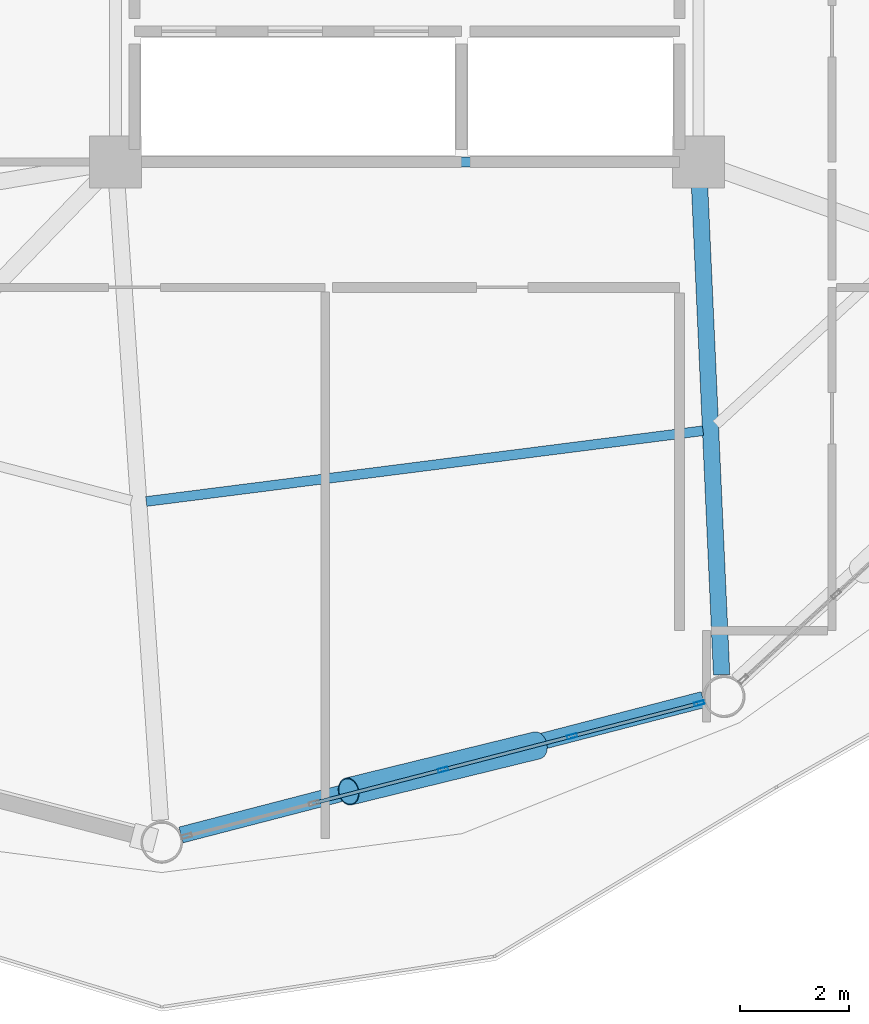
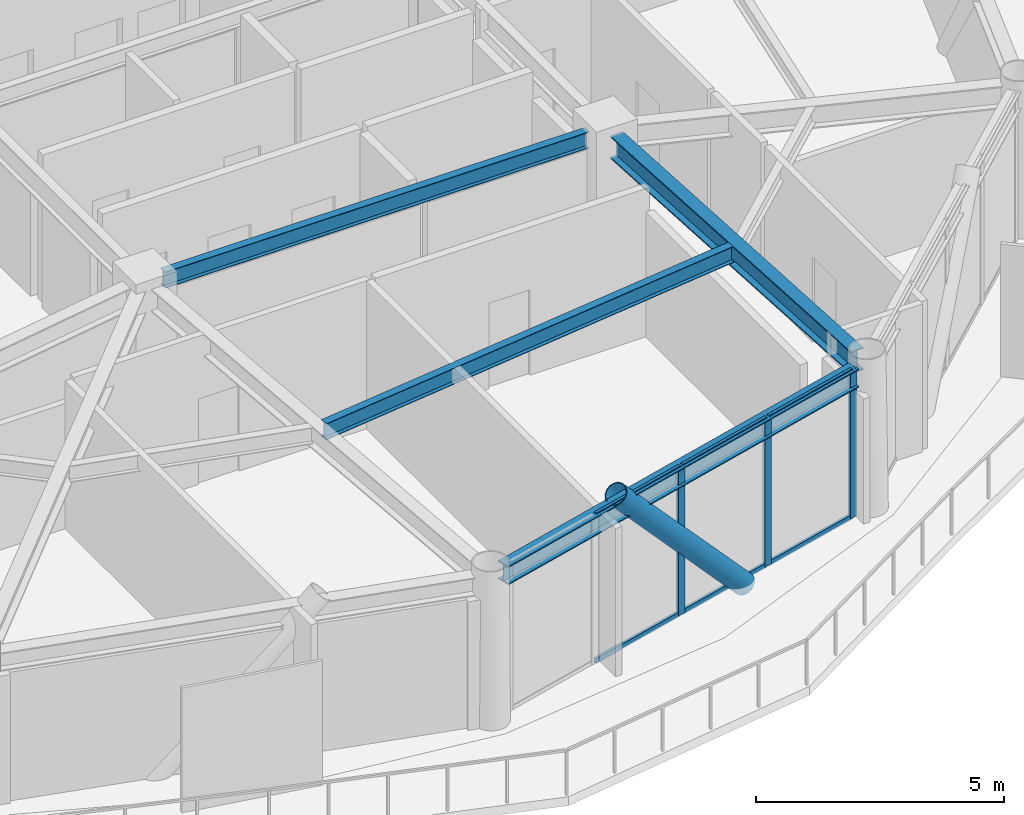
# One storey, part 7 of 23: 10 members, 4 beams, 1 element without a shape of its own.
"""IFC4 building model written with IfcOpenShell, lengths in metres."""

from ifc_helpers import new_model, si_unit, direction, frame, origin, origin_2d, place, context, subcontext, project, spatial, hollow_rectangle, hollow_circle, i_section, extrude, material, layer, layer_set, material_profile, profile_set, type_object, element, aggregate, save


model = new_model("IFC4")

# Units and contexts
model_context = context("Model", 3, precision=1e-05, world=origin(), true_north=direction((0.0, 1.0)))
body_context = subcontext(model_context, "Body", "Model", "MODEL_VIEW")
ifc_project = project(units=[si_unit("LENGTHUNIT", "METRE"), si_unit("AREAUNIT", "SQUARE_METRE"), si_unit("VOLUMEUNIT", "CUBIC_METRE"), si_unit("PLANEANGLEUNIT", "RADIAN"), si_unit("MASSUNIT", "GRAM", prefix="KILO")], contexts=[model_context])

# Site, building, storey
site_placement = place(None, origin())
site = spatial("IfcSite", under=ifc_project, at=site_placement, CompositionType="ELEMENT")
building_placement = place(site_placement, origin())
building = spatial("IfcBuilding", under=site, at=building_placement, Name="Varnakorn Sky Granary", CompositionType="ELEMENT")
storey_placement = place(building_placement, frame((0.0, 0.0, 150.0)))
storey = spatial("IfcBuildingStorey", under=building, at=storey_placement, Name="L37", CompositionType="ELEMENT", Elevation=150.0)

# Beams
ifc_material_1 = material(Name="Steel S355JR", Category="steel")
ifc_material_profile_1 = material_profile(ifc_material_1, i_section(OverallWidth=0.300048828125, OverallDepth=0.550048828125, WebThickness=0.014892578125, FlangeThickness=0.029052734375, at=origin_2d()), Name="HE 550 B")
ifc_profile_set_1 = profile_set([ifc_material_profile_1], Name="Steel S355JR")
beam_type_1 = type_object("IfcBeamType", Name="BM-RAD-Z3", PredefinedType="BEAM", material=ifc_profile_set_1)
beam_1_placement = place(storey_placement, frame((8.368896484375, -7.01953125, 3.364990234375), z_axis=(0.045076516675, -0.998983537224, 0.0), x_axis=(0.998983537224, 0.045076516675, 0.0)))
element("IfcBeam", 1, at=beam_1_placement, inside=storey, type_object=beam_type_1, Name="Radial Floor Girder RG11 L37", PredefinedType="BEAM", context=body_context, shape_type="SweptSolid", body=[
    extrude(i_section(OverallWidth=0.300048828125, OverallDepth=0.550048828125, WebThickness=0.014892578125, FlangeThickness=0.029052734375, at=origin_2d()), origin(), (0.0, 0.0, 1.0), 8.99609375),
])
ifc_material_profile_2 = material_profile(ifc_material_1, i_section(OverallWidth=0.179931640625, OverallDepth=0.39990234375, WebThickness=0.008544921875, FlangeThickness=0.013427734375, at=origin_2d()), Name="IPE 400")
ifc_profile_set_2 = profile_set([ifc_material_profile_2], Name="Steel S355JR")
beam_type_2 = type_object("IfcBeamType", Name="BM-SEC-Z3", PredefinedType="BEAM", material=ifc_profile_set_2)
beam_2_placement = place(storey_placement, frame((-1.7841796875, -12.829345703125, 3.43994140625), z_axis=(0.992019381222, 0.126085476086, 0.0), x_axis=(-0.126085476086, 0.992019381222, 0.0)))
element("IfcBeam", 2, at=beam_2_placement, inside=storey, type_object=beam_type_2, Name="Secondary Floor Chord Beam MSB10 L37", PredefinedType="BEAM", context=body_context, shape_type="SweptSolid", body=[
    extrude(i_section(OverallWidth=0.179931640625, OverallDepth=0.39990234375, WebThickness=0.008544921875, FlangeThickness=0.013427734375, at=origin_2d()), origin(), (0.0, 0.0, 1.0), 10.29931640625),
])
beam_3_placement = place(storey_placement, frame((-1.929931640625, -6.60009765625, 3.43994140625), z_axis=(1.0, 0.0, 0.0), x_axis=(0.0, 1.0, 0.0)))
element("IfcBeam", 3, at=beam_3_placement, inside=storey, type_object=beam_type_2, Name="Core Spine Framing Beam 6 L37", PredefinedType="BEAM", context=body_context, shape_type="SweptSolid", body=[
    extrude(i_section(OverallWidth=0.179931640625, OverallDepth=0.39990234375, WebThickness=0.008544921875, FlangeThickness=0.013427734375, at=origin_2d()), origin(), (0.0, 0.0, 1.0), 9.85986328125),
])
ifc_material_profile_3 = material_profile(ifc_material_1, i_section(OverallWidth=0.300048828125, OverallDepth=0.449951171875, WebThickness=0.013916015625, FlangeThickness=0.02587890625, at=origin_2d()), Name="HE 450 B")
ifc_profile_set_3 = profile_set([ifc_material_profile_3], Name="Steel S355JR")
beam_type_3 = type_object("IfcBeamType", Name="BM-SPD-Z3", PredefinedType="SPANDREL", material=ifc_profile_set_3)
beam_4_placement = place(storey_placement, frame((-1.145751953125, -18.9482421875, 3.4150390625), z_axis=(0.968002445403, 0.250940761324, 0.0), x_axis=(-0.250940761324, 0.968002445403, 0.0)))
element("IfcBeam", 4, at=beam_4_placement, inside=storey, type_object=beam_type_3, Name="Perimeter Spandrel Ring Beam RB10 L37", PredefinedType="SPANDREL", context=body_context, shape_type="SweptSolid", body=[
    extrude(i_section(OverallWidth=0.300048828125, OverallDepth=0.449951171875, WebThickness=0.013916015625, FlangeThickness=0.02587890625, at=origin_2d()), origin(), (0.0, 0.0, 1.0), 9.899169921875),
])

# Curtain wall, members
ifc_material_2 = material(Name="Anodised Bronze Aluminium Alloy 6063-T6", Category="aluminium")
ifc_layer = layer(ifc_material_2, 0.179931640625, Name="Anodised Bronze Aluminium Alloy 6063-T6")
ifc_layer_set = layer_set([ifc_layer], Name="Anodised Bronze Aluminium Alloy 6063-T6")
curtain_wall_type = type_object("IfcCurtainWallType", Name="CW-FRM-2", PredefinedType="USERDEFINED", material=ifc_layer_set)
curtain_wall_placement = place(storey_placement, origin())
curtain_wall = element("IfcCurtainWall", 5, at=curtain_wall_placement, inside=storey, type_object=curtain_wall_type, Name="Unitised Curtain Wall CW4 CW-L37-B10", ObjectType="CURTAIN WALL", PredefinedType="USERDEFINED")
ifc_material_profile_4 = material_profile(ifc_material_2, hollow_rectangle(XDim=0.070068359375, YDim=0.18505859375, WallThickness=0.00390625, at=origin_2d()), Name="ALU MULL 70x185")
ifc_profile_set_4 = profile_set([ifc_material_profile_4], Name="Anodised Bronze Aluminium Alloy 6063-T6")
member_type_1 = type_object("IfcMemberType", Name="CW-FRM-2-MULL", PredefinedType="MULLION", material=ifc_profile_set_4)
member_1_placement = place(storey_placement, frame((8.36328125, -16.533203125, 0.0), z_axis=(0.0, 0.0, 1.0), x_axis=(0.250747882896, -0.968052425865, 0.0)))
member_1 = element("IfcMember", 6, at=member_1_placement, type_object=member_type_1, Name="CW4 mullion 1", PredefinedType="MULLION", context=body_context, shape_type="SweptSolid", body=[
    extrude(hollow_rectangle(XDim=0.070068359375, YDim=0.18505859375, WallThickness=0.00390625, at=origin_2d()), origin(), (0.0, 0.0, 1.0), 3.639892578125),
])
member_2_placement = place(storey_placement, frame((6.029541015625, -17.1376953125, 0.0), z_axis=(0.0, 0.0, 1.0), x_axis=(0.250747882896, -0.968052425865, 0.0)))
member_2 = element("IfcMember", 7, at=member_2_placement, type_object=member_type_1, Name="CW4 mullion 2", PredefinedType="MULLION", context=body_context, shape_type="SweptSolid", body=[
    extrude(hollow_rectangle(XDim=0.070068359375, YDim=0.18505859375, WallThickness=0.00390625, at=origin_2d()), origin(), (0.0, 0.0, 1.0), 3.639892578125),
])
member_3_placement = place(storey_placement, frame((3.662109375, -17.7509765625, 0.0), z_axis=(0.0, 0.0, 1.0), x_axis=(0.250747882896, -0.968052425865, 0.0)))
member_3 = element("IfcMember", 8, at=member_3_placement, type_object=member_type_1, Name="CW4 mullion 3", PredefinedType="MULLION", context=body_context, shape_type="SweptSolid", body=[
    extrude(hollow_rectangle(XDim=0.070068359375, YDim=0.18505859375, WallThickness=0.00390625, at=origin_2d()), origin(), (0.0, 0.0, 1.0), 3.639892578125),
])
ifc_material_profile_5 = material_profile(ifc_material_2, hollow_rectangle(XDim=0.06494140625, YDim=0.1201171875, WallThickness=0.00341796875, at=origin_2d()), Name="ALU TRAN 65x120")
ifc_profile_set_5 = profile_set([ifc_material_profile_5], Name="Anodised Bronze Aluminium Alloy 6063-T6")
member_type_2 = type_object("IfcMemberType", Name="CW-FRM-2-TRAN", PredefinedType="USERDEFINED", material=ifc_profile_set_5)
member_4_placement = place(storey_placement, frame((8.329345703125, -16.5419921875, 0.032470703125), z_axis=(-0.9680522446, -0.250748582698, 0.0), x_axis=(0.250748582698, -0.9680522446, 0.0)))
member_4 = element("IfcMember", 9, at=member_4_placement, type_object=member_type_2, Name="CW4 transom 1.1", ObjectType="TRANSOM", PredefinedType="USERDEFINED", context=body_context, shape_type="SweptSolid", body=[
    extrude(hollow_rectangle(XDim=0.06494140625, YDim=0.1201171875, WallThickness=0.00341796875, at=origin_2d()), origin(), (0.0, 0.0, 1.0), 2.340576171875),
])
member_5_placement = place(storey_placement, frame((8.329345703125, -16.5419921875, 3.607421875), z_axis=(-0.9680522446, -0.250748582698, 0.0), x_axis=(0.250748582698, -0.9680522446, 0.0)))
member_5 = element("IfcMember", 10, at=member_5_placement, type_object=member_type_2, Name="CW4 transom 1.2", ObjectType="TRANSOM", PredefinedType="USERDEFINED", context=body_context, shape_type="SweptSolid", body=[
    extrude(hollow_rectangle(XDim=0.06494140625, YDim=0.1201171875, WallThickness=0.00341796875, at=origin_2d()), origin(), (0.0, 0.0, 1.0), 2.340576171875),
])
member_6_placement = place(storey_placement, frame((5.99560546875, -17.146484375, 0.032470703125), z_axis=(-0.96805235211, -0.250748167638, 0.0), x_axis=(0.250748167638, -0.96805235211, 0.0)))
member_6 = element("IfcMember", 11, at=member_6_placement, type_object=member_type_2, Name="CW4 transom 2.1", ObjectType="TRANSOM", PredefinedType="USERDEFINED", context=body_context, shape_type="SweptSolid", body=[
    extrude(hollow_rectangle(XDim=0.06494140625, YDim=0.1201171875, WallThickness=0.00341796875, at=origin_2d()), origin(), (0.0, 0.0, 1.0), 2.375732421875),
])
member_7_placement = place(storey_placement, frame((5.99560546875, -17.146484375, 3.607421875), z_axis=(-0.96805235211, -0.250748167638, 0.0), x_axis=(0.250748167638, -0.96805235211, 0.0)))
member_7 = element("IfcMember", 12, at=member_7_placement, type_object=member_type_2, Name="CW4 transom 2.2", ObjectType="TRANSOM", PredefinedType="USERDEFINED", context=body_context, shape_type="SweptSolid", body=[
    extrude(hollow_rectangle(XDim=0.06494140625, YDim=0.1201171875, WallThickness=0.00341796875, at=origin_2d()), origin(), (0.0, 0.0, 1.0), 2.375732421875),
])
member_8_placement = place(storey_placement, frame((3.628173828125, -17.759765625, 0.032470703125), z_axis=(-0.96805235211, -0.250748167638, 0.0), x_axis=(0.250748167638, -0.96805235211, 0.0)))
member_8 = element("IfcMember", 13, at=member_8_placement, type_object=member_type_2, Name="CW4 transom 3.1", ObjectType="TRANSOM", PredefinedType="USERDEFINED", context=body_context, shape_type="SweptSolid", body=[
    extrude(hollow_rectangle(XDim=0.06494140625, YDim=0.1201171875, WallThickness=0.00341796875, at=origin_2d()), origin(), (0.0, 0.0, 1.0), 2.375732421875),
])
member_9_placement = place(storey_placement, frame((3.628173828125, -17.759765625, 3.607421875), z_axis=(-0.96805235211, -0.250748167638, 0.0), x_axis=(0.250748167638, -0.96805235211, 0.0)))
member_9 = element("IfcMember", 14, at=member_9_placement, type_object=member_type_2, Name="CW4 transom 3.2", ObjectType="TRANSOM", PredefinedType="USERDEFINED", context=body_context, shape_type="SweptSolid", body=[
    extrude(hollow_rectangle(XDim=0.06494140625, YDim=0.1201171875, WallThickness=0.00341796875, at=origin_2d()), origin(), (0.0, 0.0, 1.0), 2.375732421875),
])
aggregate(curtain_wall, [member_1, member_2, member_3, member_4, member_5, member_6, member_7, member_8, member_9])

# Member
ifc_material_3 = material(Name="Steel S460M", Category="steel")
ifc_material_profile_6 = material_profile(ifc_material_3, hollow_circle(Radius=0.25390625, WallThickness=0.01806640625, at=origin_2d()), Name="CHS 508x18")
ifc_profile_set_6 = profile_set([ifc_material_profile_6], Name="Steel S460M")
member_type_3 = type_object("IfcMemberType", Name="MB-DIAG-T2", PredefinedType="BRACE", material=ifc_profile_set_6)
member_10_placement = place(storey_placement, frame((5.3828125, -17.30517578125, -0.1298828125), z_axis=(-0.652445497099, -0.159777862701, 0.740800855768), x_axis=(0.237862117096, -0.971298930943, 0.0)))
element("IfcMember", 15, at=member_10_placement, inside=storey, type_object=member_type_3, Name="Perimeter CHS Diagrid Brace DG10 L37", PredefinedType="BRACE", context=body_context, shape_type="SweptSolid", body=[
    extrude(hollow_circle(Radius=0.25390625, WallThickness=0.01806640625, at=origin_2d()), origin(), (0.0, 0.0, 1.0), 5.29150390625),
])

save(model, "model.ifc")
